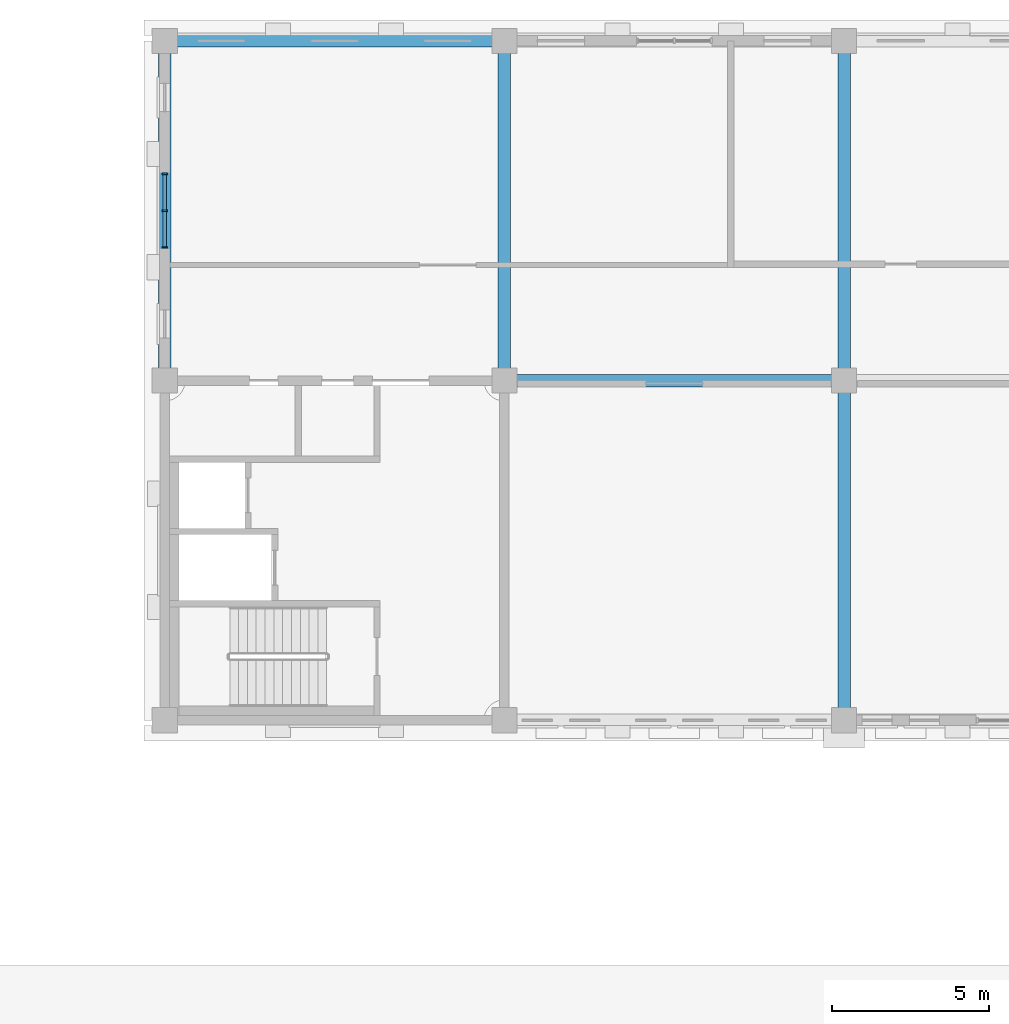
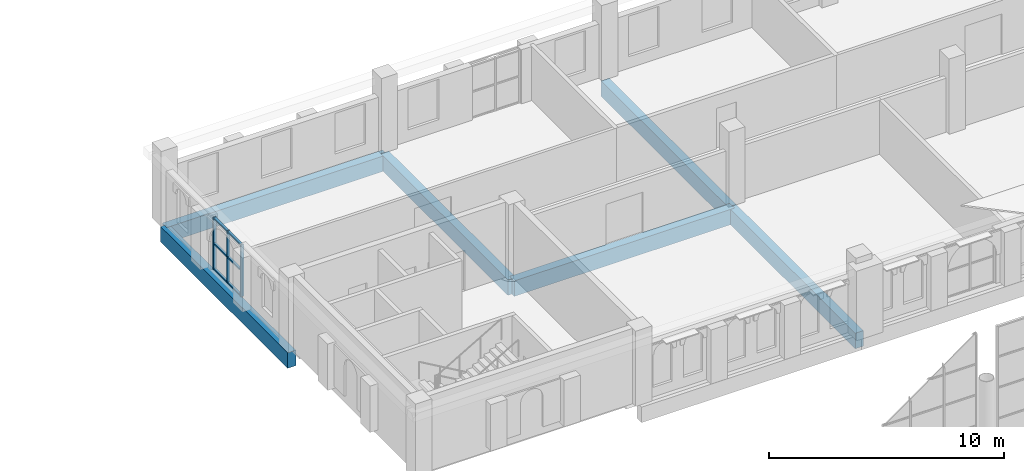
# One storey, part 22 of 56: 9 members, 6 beams, 1 element without a shape of its own.
"""IFC4 building model written with IfcOpenShell, lengths in metres."""

from ifc_helpers import new_model, si_unit, direction, frame, origin, origin_2d, place, context, subcontext, project, spatial, rectangle, extrude, material, layer, layer_set, material_profile, profile_set, type_object, element, aggregate, save


model = new_model("IFC4")

# Units and contexts
model_context = context("Model", 3, precision=1e-05, world=origin(), true_north=direction((0.0, 1.0)))
body_context = subcontext(model_context, "Body", "Model", "MODEL_VIEW")
ifc_project = project(units=[si_unit("LENGTHUNIT", "METRE"), si_unit("AREAUNIT", "SQUARE_METRE"), si_unit("VOLUMEUNIT", "CUBIC_METRE"), si_unit("PLANEANGLEUNIT", "RADIAN"), si_unit("MASSUNIT", "GRAM", prefix="KILO")], contexts=[model_context])

# Site, building, storey
site_placement = place(None, origin())
site = spatial("IfcSite", under=ifc_project, at=site_placement, CompositionType="ELEMENT")
building_placement = place(site_placement, origin())
building = spatial("IfcBuilding", under=site, at=building_placement, Name="Magnolia Steps Interchange", CompositionType="ELEMENT")
storey_placement = place(building_placement, frame((0.0, 0.0, 8.699951171875)))
storey = spatial("IfcBuildingStorey", under=building, at=storey_placement, Name="L02", CompositionType="ELEMENT", Elevation=8.699951171875)

# Curtain wall, members
ifc_material_1 = material(Name="Powder-coated aluminium and glass", Category="aluminium")
ifc_layer = layer(ifc_material_1, 0.199951171875)
ifc_layer_set = layer_set([ifc_layer], Name="Glazed central bay curtain wall")
curtain_wall_type = type_object("IfcCurtainWallType", Name="Glazed central bay curtain wall", PredefinedType="NOTDEFINED", material=ifc_layer_set)
curtain_wall_placement = place(storey_placement, origin())
curtain_wall = element("IfcCurtainWall", 1, at=curtain_wall_placement, inside=storey, type_object=curtain_wall_type, Name="Operations building west wall L02 glazing 2", PredefinedType="NOTDEFINED")
ifc_material_2 = material(Name="White powder-coated aluminium", Category="aluminium")
ifc_material_profile_1 = material_profile(ifc_material_2, rectangle(XDim=0.06005859375, YDim=0.14990234375, at=origin_2d()), Name="Aluminium mullion 60 x 150")
ifc_profile_set_1 = profile_set([ifc_material_profile_1], Name="White powder-coated aluminium")
member_type_1 = type_object("IfcMemberType", Name="Aluminium mullion 60 x 150", PredefinedType="MULLION", material=ifc_profile_set_1)
member_1_placement = place(storey_placement, frame((64.0, 111.429931640625, 0.0), z_axis=(0.0, 0.0, 1.0), x_axis=(0.0, 1.0, 0.0)))
member_1 = element("IfcMember", 2, at=member_1_placement, type_object=member_type_1, Name="CW2 mullion 1", PredefinedType="MULLION", context=body_context, shape_type="SweptSolid", body=[
    extrude(rectangle(XDim=0.06005859375, YDim=0.14990234375, at=origin_2d()), origin(), (0.0, 0.0, 1.0), 2.699951171875),
])
member_2_placement = place(storey_placement, frame((64.0, 112.60009765625, 0.0), z_axis=(0.0, 0.0, 1.0), x_axis=(0.0, 1.0, 0.0)))
member_2 = element("IfcMember", 3, at=member_2_placement, type_object=member_type_1, Name="CW2 mullion 2", PredefinedType="MULLION", context=body_context, shape_type="SweptSolid", body=[
    extrude(rectangle(XDim=0.06005859375, YDim=0.14990234375, at=origin_2d()), origin(), (0.0, 0.0, 1.0), 2.699951171875),
])
member_3_placement = place(storey_placement, frame((64.0, 113.77001953125, 0.0), z_axis=(0.0, 0.0, 1.0), x_axis=(0.0, 1.0, 0.0)))
member_3 = element("IfcMember", 4, at=member_3_placement, type_object=member_type_1, Name="CW2 mullion 3", PredefinedType="MULLION", context=body_context, shape_type="SweptSolid", body=[
    extrude(rectangle(XDim=0.06005859375, YDim=0.14990234375, at=origin_2d()), origin(), (0.0, 0.0, 1.0), 2.699951171875),
])
ifc_material_3 = material(Name="White powder-coated aluminium", Category="aluminium")
ifc_material_profile_2 = material_profile(ifc_material_3, rectangle(XDim=0.06005859375, YDim=0.1201171875, at=origin_2d()), Name="Aluminium transom 60 x 120")
ifc_profile_set_2 = profile_set([ifc_material_profile_2], Name="White powder-coated aluminium")
member_type_2 = type_object("IfcMemberType", Name="Aluminium transom 60 x 120", PredefinedType="USERDEFINED", material=ifc_profile_set_2)
member_4_placement = place(storey_placement, frame((64.0, 111.4599609375, 0.030029296875), z_axis=(0.0, 1.0, 0.0), x_axis=(0.0, 0.0, 1.0)))
member_4 = element("IfcMember", 5, at=member_4_placement, type_object=member_type_2, Name="CW2 transom 1.1", ObjectType="TRANSOM", PredefinedType="USERDEFINED", context=body_context, shape_type="SweptSolid", body=[
    extrude(rectangle(XDim=0.06005859375, YDim=0.1201171875, at=origin_2d()), origin(), (0.0, 0.0, 1.0), 1.110107421875),
])
member_5_placement = place(storey_placement, frame((64.0, 111.4599609375, 1.35009765625), z_axis=(0.0, 1.0, 0.0), x_axis=(0.0, 0.0, 1.0)))
member_5 = element("IfcMember", 6, at=member_5_placement, type_object=member_type_2, Name="CW2 transom 1.2", ObjectType="TRANSOM", PredefinedType="USERDEFINED", context=body_context, shape_type="SweptSolid", body=[
    extrude(rectangle(XDim=0.06005859375, YDim=0.1201171875, at=origin_2d()), origin(), (0.0, 0.0, 1.0), 1.110107421875),
])
member_6_placement = place(storey_placement, frame((64.0, 111.4599609375, 2.670166015625), z_axis=(0.0, 1.0, 0.0), x_axis=(0.0, 0.0, 1.0)))
member_6 = element("IfcMember", 7, at=member_6_placement, type_object=member_type_2, Name="CW2 transom 1.3", ObjectType="TRANSOM", PredefinedType="USERDEFINED", context=body_context, shape_type="SweptSolid", body=[
    extrude(rectangle(XDim=0.06005859375, YDim=0.1201171875, at=origin_2d()), origin(), (0.0, 0.0, 1.0), 1.110107421875),
])
member_7_placement = place(storey_placement, frame((64.0, 112.6298828125, 0.030029296875), z_axis=(0.0, 1.0, 0.0), x_axis=(0.0, 0.0, 1.0)))
member_7 = element("IfcMember", 8, at=member_7_placement, type_object=member_type_2, Name="CW2 transom 2.1", ObjectType="TRANSOM", PredefinedType="USERDEFINED", context=body_context, shape_type="SweptSolid", body=[
    extrude(rectangle(XDim=0.06005859375, YDim=0.1201171875, at=origin_2d()), origin(), (0.0, 0.0, 1.0), 1.110107421875),
])
member_8_placement = place(storey_placement, frame((64.0, 112.6298828125, 1.35009765625), z_axis=(0.0, 1.0, 0.0), x_axis=(0.0, 0.0, 1.0)))
member_8 = element("IfcMember", 9, at=member_8_placement, type_object=member_type_2, Name="CW2 transom 2.2", ObjectType="TRANSOM", PredefinedType="USERDEFINED", context=body_context, shape_type="SweptSolid", body=[
    extrude(rectangle(XDim=0.06005859375, YDim=0.1201171875, at=origin_2d()), origin(), (0.0, 0.0, 1.0), 1.110107421875),
])
member_9_placement = place(storey_placement, frame((64.0, 112.6298828125, 2.670166015625), z_axis=(0.0, 1.0, 0.0), x_axis=(0.0, 0.0, 1.0)))
member_9 = element("IfcMember", 10, at=member_9_placement, type_object=member_type_2, Name="CW2 transom 2.3", ObjectType="TRANSOM", PredefinedType="USERDEFINED", context=body_context, shape_type="SweptSolid", body=[
    extrude(rectangle(XDim=0.06005859375, YDim=0.1201171875, at=origin_2d()), origin(), (0.0, 0.0, 1.0), 1.110107421875),
])
aggregate(curtain_wall, [member_1, member_2, member_3, member_4, member_5, member_6, member_7, member_8, member_9])

# Beams
ifc_material_4 = material(Name="Concrete C40", Category="concrete")
ifc_material_profile_3 = material_profile(ifc_material_4, rectangle(XDim=0.39990234375, YDim=0.800048828125, at=origin_2d()), Name="RC400x800")
ifc_profile_set_3 = profile_set([ifc_material_profile_3], Name="Concrete C40")
beam_type = type_object("IfcBeamType", Name="RC beam 400x800", PredefinedType="BEAM", material=ifc_profile_set_3)
for number, where, z_axis, x_axis, name in (
    (11, (74.800048828125, 107.199951171875, -0.699951171875), (1.0, 0.0, 0.0), (0.0, 1.0, 0.0), "Beam L02 J 7-8"),
    (12, (64.0, 118.0, -0.699951171875), (1.0, 0.0, 0.0), (0.0, 1.0, 0.0), "Beam L02 K 6-7"),
    (13, (64.0, 107.199951171875, -0.699951171875), (0.0, 1.0, 0.0), (-1.0, 0.0, 0.0), "Beam L02 6 J-K"),
    (14, (74.800048828125, 107.199951171875, -0.699951171875), (0.0, 1.0, 0.0), (-1.0, 0.0, 0.0), "Beam L02 7 J-K"),
    (15, (85.60009765625, 96.39990234375, -0.699951171875), (0.0, 1.0, 0.0), (-1.0, 0.0, 0.0), "Beam L02 8 I-J"),
    (16, (85.60009765625, 107.199951171875, -0.699951171875), (0.0, 1.0, 0.0), (-1.0, 0.0, 0.0), "Beam L02 8 J-K"),
):
    element("IfcBeam", number, at=place(storey_placement, frame(where, z_axis=z_axis, x_axis=x_axis)), inside=storey, type_object=beam_type, Name=name, PredefinedType="BEAM", context=body_context, shape_type="SweptSolid", body=[
        extrude(rectangle(XDim=0.39990234375, YDim=0.800048828125, at=origin_2d()), origin(), (0.0, 0.0, 1.0), 10.800048828125),
    ])

save(model, "model.ifc")
